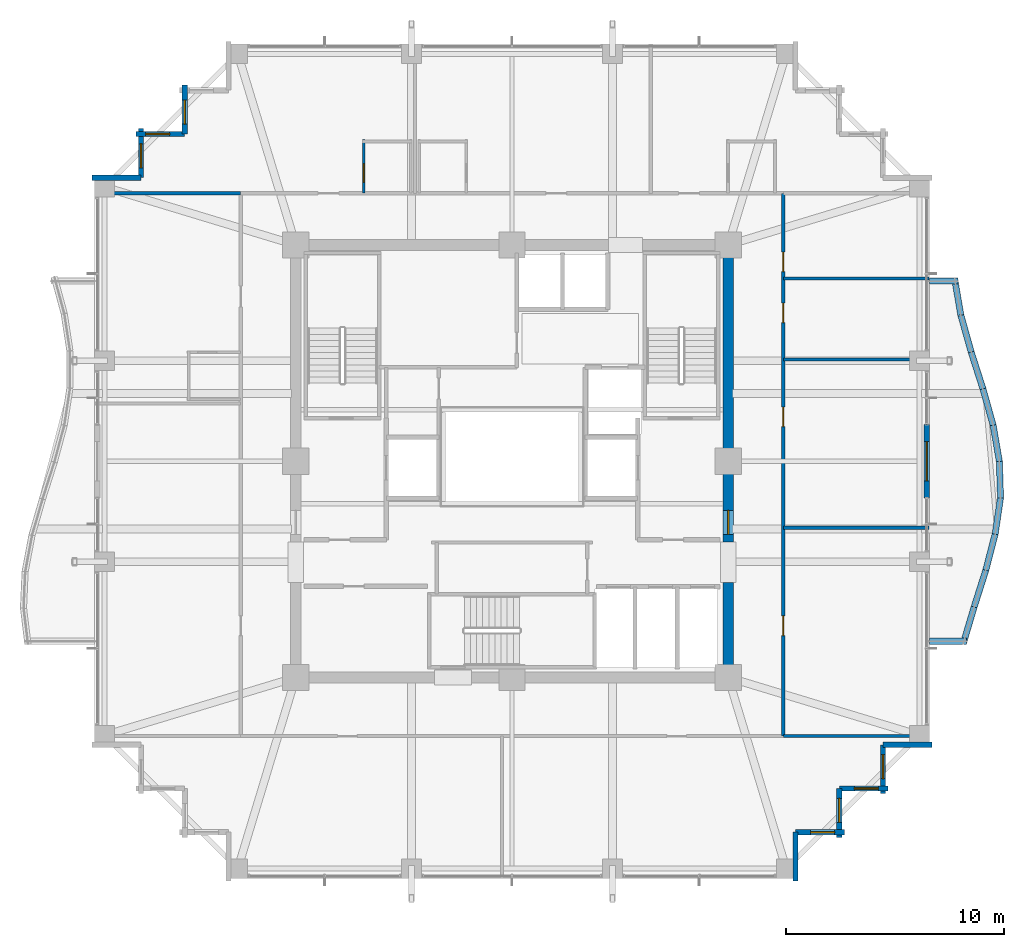
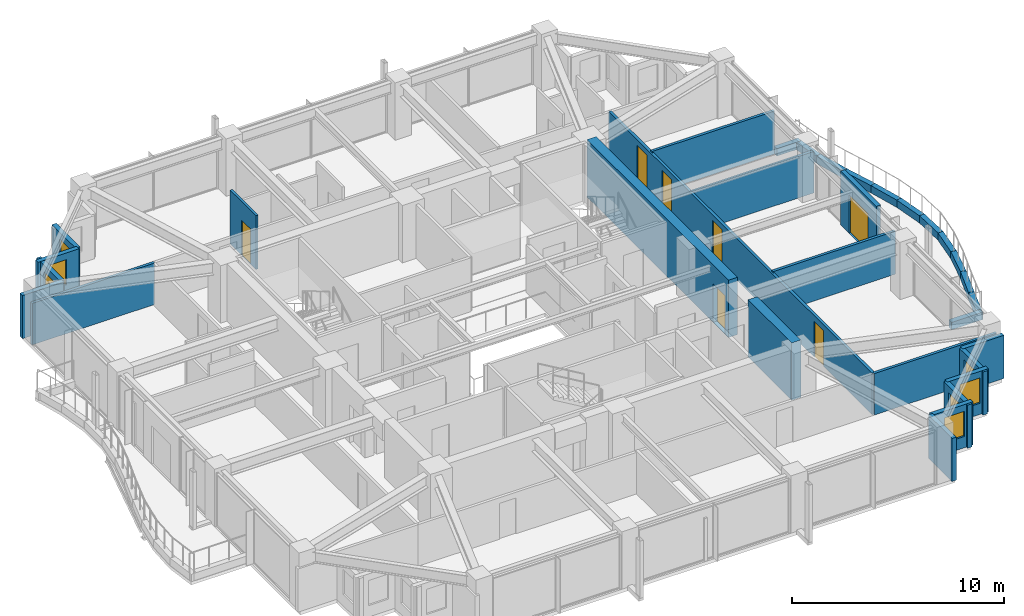
# One storey, part 32 of 35: 32 walls, 7 doors, 7 windows, 14 openings.
"""IFC4 building model written with IfcOpenShell, lengths in metres."""

import ifcopenshell
import ifcopenshell.guid

model = None  # the IFC model being written
_history = None  # IfcOwnerHistory: only IFC2X3 demands one
_inside = {}  # id of a spatial element -> (the spatial element, [elements in it])
_under = {}  # id of a project, library or spatial element -> (it, [spatial elements below it])
_declared = {}  # id of a project -> (the project, [libraries it declares])
_typed = {}  # id of a type object -> (the type object, [elements of that type])
_made_of = {}  # id of a material, layer set ... -> (it, [elements and type objects made of it])


def new_model(schema):
    """Start an empty IFC model of exactly this schema.

    Asked for "IFC4X3", IfcOpenShell would pick the latest addendum, in which some entities
    have other attributes; the version numbers below select the first issue.
    IFC2X3 requires an IfcOwnerHistory on every rooted entity: one is made here for all.
    """
    global model, _history
    if schema == "IFC4X3":
        model = ifcopenshell.file(schema_version=(4, 3, 0, 0))
    else:
        model = ifcopenshell.file(schema=schema)
    _inside.clear()
    _under.clear()
    _declared.clear()
    _typed.clear()
    _made_of.clear()
    _history = None
    if model.schema == "IFC2X3":
        org = make("IfcOrganization", Name="unknown")
        user = make(
            "IfcPersonAndOrganization",
            ThePerson=make("IfcPerson", FamilyName="unknown"),
            TheOrganization=org,
        )
        app = make(
            "IfcApplication",
            ApplicationDeveloper=org,
            Version="unknown",
            ApplicationFullName="unknown",
            ApplicationIdentifier="unknown",
        )
        _history = make(
            "IfcOwnerHistory",
            OwningUser=user,
            OwningApplication=app,
            ChangeAction="ADDED",
            CreationDate=0,
        )
    return model


def make(cls, **values):
    """One entity of the class cls with the attributes given. An attribute that is None is left unset."""
    return model.create_entity(
        cls, **{name: value for name, value in values.items() if value is not None}
    )


def rooted(cls, **values):
    """An entity with a GlobalId (a new one), such as an element, a storey or a relation."""
    return make(cls, GlobalId=ifcopenshell.guid.new(), OwnerHistory=_history, **values)


def si_unit(unit_type, name, prefix=None):
    """IfcSIUnit, for example si_unit("LENGTHUNIT", "METRE", prefix="MILLI")."""
    return make("IfcSIUnit", UnitType=unit_type, Prefix=prefix, Name=name)


def assignment(units):
    """IfcUnitAssignment: the units of a project."""
    return None if units is None else make("IfcUnitAssignment", Units=units)


def point(xyz):
    """IfcCartesianPoint."""
    return None if xyz is None else make("IfcCartesianPoint", Coordinates=xyz)


def direction(xyz):
    """IfcDirection."""
    return None if xyz is None else make("IfcDirection", DirectionRatios=xyz)


def frame(location, z_axis=None, x_axis=None):
    """IfcAxis2Placement3D, a coordinate frame: its origin and axes. An axis left out is left unset."""
    return make(
        "IfcAxis2Placement3D",
        Location=point(location),
        Axis=direction(z_axis),
        RefDirection=direction(x_axis),
    )


def frame_2d(location, x_axis=None):
    """IfcAxis2Placement2D, a coordinate frame in the plane: its origin and x axis."""
    return make(
        "IfcAxis2Placement2D", Location=point(location), RefDirection=direction(x_axis)
    )


def origin():
    """The frame at (0, 0, 0) with its axes left unset."""
    return frame((0.0, 0.0, 0.0))


def place(relative_to, where):
    """IfcLocalPlacement: puts the frame where relative to a parent placement (None: the world)."""
    return make(
        "IfcLocalPlacement", PlacementRelTo=relative_to, RelativePlacement=where
    )


def context(
    kind, dimensions, precision=None, world=None, true_north=None, identifier=None
):
    """IfcGeometricRepresentationContext, for example the 3D "Model" context."""
    return make(
        "IfcGeometricRepresentationContext",
        ContextIdentifier=identifier,
        ContextType=kind,
        CoordinateSpaceDimension=dimensions,
        Precision=precision,
        WorldCoordinateSystem=world,
        TrueNorth=true_north,
    )


def subcontext(parent, identifier, kind, view, scale=None):
    """IfcGeometricRepresentationSubContext, for example "Body" below "Model"."""
    return make(
        "IfcGeometricRepresentationSubContext",
        ContextIdentifier=identifier,
        ContextType=kind,
        ParentContext=parent,
        TargetScale=scale,
        TargetView=view,
    )


def project(units=None, contexts=None):
    """IfcProject with its units and contexts."""
    return rooted(
        "IfcProject",
        Name="project",
        RepresentationContexts=contexts,
        UnitsInContext=assignment(units),
    )


def spatial(cls, under=None, at=None, **own):
    """A site, building, storey or space (cls), placed at a placement, below another one or the project."""
    s = rooted(cls, ObjectPlacement=at, **own)
    if under is not None:
        _under.setdefault(under.id(), (under, []))[1].append(s)
    return s


def profile(cls, at=None, kind="AREA", **sizes):
    """A parametric profile (cls). Its sizes go by their IFC names, for example OverallWidth=200.0."""
    return make(cls, ProfileType=kind, Position=at, **sizes)


def rectangle(**sizes):
    """IfcRectangleProfileDef."""
    return profile("IfcRectangleProfileDef", **sizes)


def extrude(swept, where, along, depth):
    """IfcExtrudedAreaSolid: the profile swept, set in the frame where, extruded along a direction by depth."""
    return make(
        "IfcExtrudedAreaSolid",
        SweptArea=swept,
        Position=where,
        ExtrudedDirection=direction(along),
        Depth=depth,
    )


def shape(context_of_items, identifier, shape_type, items):
    """IfcShapeRepresentation: the items that make up one representation, for example the "Body"."""
    return make(
        "IfcShapeRepresentation",
        ContextOfItems=context_of_items,
        RepresentationIdentifier=identifier,
        RepresentationType=shape_type,
        Items=items,
    )


def material(Name=None, Category=None):
    """IfcMaterial."""
    return make("IfcMaterial", Name=Name, Category=Category)


def layer(
    of_material, thickness, ventilated=None, Name=None, Category=None, Priority=None
):
    """IfcMaterialLayer: one layer of a wall or slab, of a material (None: an air gap)."""
    return make(
        "IfcMaterialLayer",
        Material=of_material,
        LayerThickness=thickness,
        IsVentilated=ventilated,
        Name=Name,
        Category=Category,
        Priority=Priority,
    )


def layer_set(layers, Name=None):
    """IfcMaterialLayerSet."""
    return make("IfcMaterialLayerSet", MaterialLayers=layers, LayerSetName=Name)


def made_of(thing, what):
    """Note that an element or type object is made of a material, layer set ...; save() writes the relation."""
    if what is not None:
        _made_of.setdefault(what.id(), (what, []))[1].append(thing)
    return thing


def type_object(cls, material=None, **own):
    """A type object (cls), such as IfcWallType, which elements share."""
    return made_of(rooted(cls, **own), material)


def element(
    cls,
    number,
    at=None,
    inside=None,
    cuts=None,
    type_object=None,
    material=None,
    context=None,
    identifier="Body",
    shape_type=None,
    held_by="IfcProductDefinitionShape",
    body=None,
    shapes=None,
    **own,
):
    """One element of the class cls, such as IfcWall. Its Tag is "e" and its number.

    at: its placement. inside: the storey or other place that contains it. cuts: it is an
    opening in that element (IfcRelVoidsElement). A single representation is given by context,
    identifier, shape_type and body (its items); several are given by shapes. held_by: the class
    of the entity that holds the representations. save() writes the other relations.
    """
    e = rooted(cls, Tag="e%d" % number, ObjectPlacement=at, **own)
    if body is not None:
        shapes = [shape(context, identifier, shape_type, body)]
    if shapes is not None:
        e.Representation = make(held_by, Representations=shapes)
    if inside is not None:
        _inside.setdefault(inside.id(), (inside, []))[1].append(e)
    if cuts is not None:
        rooted(
            "IfcRelVoidsElement", RelatingBuildingElement=cuts, RelatedOpeningElement=e
        )
    if type_object is not None:
        _typed.setdefault(type_object.id(), (type_object, []))[1].append(e)
    return made_of(e, material)


def fill(opening, filler):
    """IfcRelFillsElement: the door or window that sits in an opening."""
    return rooted(
        "IfcRelFillsElement",
        RelatingOpeningElement=opening,
        RelatedBuildingElement=filler,
    )


def aggregate(whole, parts):
    """IfcRelAggregates: a whole, such as a stair, and the parts it consists of."""
    return rooted("IfcRelAggregates", RelatingObject=whole, RelatedObjects=parts)


def save(model, path):
    """Write the relations noted so far, then the file.

    IfcRelAggregates (storeys below a building ...), IfcRelContainedInSpatialStructure (elements
    in a storey), IfcRelDefinesByType, IfcRelAssociatesMaterial and IfcRelDeclares: one each for
    every whole, place, type object, material and project.
    """
    for whole, parts in _under.values():
        aggregate(whole, parts)
    for where, things in _inside.values():
        rooted(
            "IfcRelContainedInSpatialStructure",
            RelatedElements=things,
            RelatingStructure=where,
        )
    for kind, things in _typed.values():
        rooted("IfcRelDefinesByType", RelatedObjects=things, RelatingType=kind)
    for what, things in _made_of.values():
        rooted("IfcRelAssociatesMaterial", RelatedObjects=things, RelatingMaterial=what)
    for by, libraries in _declared.values():
        rooted("IfcRelDeclares", RelatingContext=by, RelatedDefinitions=libraries)
    model.write(path)


model = new_model("IFC4")

# Units and contexts
model_context = context("Model", 3, precision=1e-05, world=origin(), true_north=direction((0.0, 1.0)))
body_context = subcontext(model_context, "Body", "Model", "MODEL_VIEW")
ifc_project = project(units=[si_unit("LENGTHUNIT", "METRE"), si_unit("AREAUNIT", "SQUARE_METRE"), si_unit("VOLUMEUNIT", "CUBIC_METRE"), si_unit("PLANEANGLEUNIT", "RADIAN"), si_unit("MASSUNIT", "GRAM", prefix="KILO")], contexts=[model_context])

# Site, building, storey
site_placement = place(None, origin())
site = spatial("IfcSite", under=ifc_project, at=site_placement, CompositionType="ELEMENT")
building_placement = place(site_placement, origin())
building = spatial("IfcBuilding", under=site, at=building_placement, Name="Kolvaren Belvedere", CompositionType="ELEMENT")
storey_placement = place(building_placement, frame((0.0, 0.0, 163.5)))
storey = spatial("IfcBuildingStorey", under=building, at=storey_placement, Name="L47", CompositionType="ELEMENT", Elevation=163.5)

# Wall
ifc_material_1 = material(Name="Concrete C50/60", Category="concrete")
ifc_layer_1 = layer(ifc_material_1, 0.5)
ifc_layer_set_1 = layer_set([ifc_layer_1], Name="Concrete C50/60")
wall_type_1 = type_object("IfcWallType", Name="CW-CORE-500", PredefinedType="SHEAR", material=ifc_layer_set_1)
wall_1_placement = place(storey_placement, frame((9.89990234375, -9.64990234375, 0.0), z_axis=(0.0, 0.0, 1.0), x_axis=(0.0, 1.0, 0.0)))
element("IfcWall", 1, at=wall_1_placement, inside=storey, type_object=wall_type_1, Name="L47 East Core Shear Wall 1", PredefinedType="SHEAR", context=body_context, shape_type="SweptSolid", body=[
    extrude(rectangle(XDim=4.099853515625, YDim=0.5, at=frame_2d((2.0498046875, 0.0))), origin(), (0.0, 0.0, 1.0), 3.300048828125),
])

# Wall, opening, door
wall_2_placement = place(storey_placement, frame((9.89990234375, -3.699951171875, 0.0), z_axis=(0.0, 0.0, 1.0), x_axis=(0.0, 1.0, 0.0)))
wall_2 = element("IfcWall", 2, at=wall_2_placement, inside=storey, type_object=wall_type_1, Name="L47 East Core Shear Wall 2", PredefinedType="SHEAR", context=body_context, shape_type="SweptSolid", body=[
    extrude(rectangle(XDim=13.349853515625, YDim=0.5, at=frame_2d((6.6748046875, 0.0))), origin(), (0.0, 0.0, 1.0), 3.300048828125),
])
opening_1_placement = place(wall_2_placement, frame((0.35009765625, 0.0, 0.0)))
opening_1 = element("IfcOpeningElement", 3, at=opening_1_placement, cuts=wall_2, Name="Opening D-FD90", PredefinedType="OPENING", context=body_context, shape_type="SweptSolid", body=[
    extrude(rectangle(XDim=1.10009765625, YDim=2.199951171875, at=frame_2d((0.550048828125, 1.10009765625))), frame((0.0, 0.260009765625, 0.0), z_axis=(0.0, -1.0, 0.0), x_axis=(1.0, 0.0, 0.0)), (0.0, 0.0, 1.0), 0.52001953125),
])
ifc_material_2 = material(Name="Painted hollow stainless steel", Category="steel")
door_type_1 = type_object("IfcDoorType", Name="DR-FD90-1100", OperationType="NOTDEFINED", PredefinedType="DOOR", material=ifc_material_2)
door_1_placement = place(opening_1_placement, origin())
door_1 = element("IfcDoor", 4, at=door_1_placement, inside=storey, type_object=door_type_1, Name="L47 East Firefighting Lobby Fire Door", OperationType="SINGLE_SWING_RIGHT", OverallHeight=2.199951171875, OverallWidth=1.10009765625, PredefinedType="DOOR", context=body_context, shape_type="SweptSolid", body=[
    extrude(rectangle(XDim=1.10009765625, YDim=2.199951171875, at=frame_2d((0.550048828125, 1.10009765625))), frame((0.0, 0.02490234375, 0.0), z_axis=(0.0, -1.0, 0.0), x_axis=(1.0, 0.0, 0.0)), (0.0, 0.0, 1.0), 0.050048828125),
])
fill(opening_1, door_1)

# Wall, openings, doors
ifc_material_3 = material(Name="Gypsum fire-rated partition assembly", Category="gypsum")
ifc_layer_2 = layer(ifc_material_3, 0.14990234375)
ifc_layer_set_2 = layer_set([ifc_layer_2], Name="Gypsum fire-rated partition assembly")
wall_type_2 = type_object("IfcWallType", Name="WL-CORR-150", PredefinedType="PARTITIONING", material=ifc_layer_set_2)
wall_3_placement = place(storey_placement, frame((12.419921875, -12.580078125, 0.0), z_axis=(0.0, 0.0, 1.0), x_axis=(0.0, 1.0, 0.0)))
wall_3 = element("IfcWall", 5, at=wall_3_placement, inside=storey, type_object=wall_type_2, Name="L47 East Corridor Wall", PredefinedType="PARTITIONING", context=body_context, shape_type="SweptSolid", body=[
    extrude(rectangle(XDim=24.840087890625, YDim=0.14990234375, at=frame_2d((12.419921875, 0.0))), origin(), (0.0, 0.0, 1.0), 2.388916015625),
])
opening_2_placement = place(wall_3_placement, frame((4.594970703125, 0.0, 0.0)))
opening_2 = element("IfcOpeningElement", 6, at=opening_2_placement, cuts=wall_3, Name="Opening D-INT90", PredefinedType="OPENING", context=body_context, shape_type="SweptSolid", body=[
    extrude(rectangle(XDim=0.89990234375, YDim=2.06005859375, at=frame_2d((0.449951171875, 1.030029296875))), frame((0.0, 0.0849609375, 0.0), z_axis=(0.0, -1.0, 0.0), x_axis=(1.0, 0.0, 0.0)), (0.0, 0.0, 1.0), 0.169921875),
])
opening_3_placement = place(wall_3_placement, frame((14.159912109375, 0.0, 0.0)))
opening_3 = element("IfcOpeningElement", 7, at=opening_3_placement, cuts=wall_3, Name="Opening D-INT90", PredefinedType="OPENING", context=body_context, shape_type="SweptSolid", body=[
    extrude(rectangle(XDim=0.89990234375, YDim=2.06005859375, at=frame_2d((0.449951171875, 1.030029296875))), frame((0.0, 0.0849609375, 0.0), z_axis=(0.0, -1.0, 0.0), x_axis=(1.0, 0.0, 0.0)), (0.0, 0.0, 1.0), 0.169921875),
])
opening_4_placement = place(wall_3_placement, frame((18.91943359375, 0.0, 0.0)))
opening_4 = element("IfcOpeningElement", 8, at=opening_4_placement, cuts=wall_3, Name="Opening D-INT90", PredefinedType="OPENING", context=body_context, shape_type="SweptSolid", body=[
    extrude(rectangle(XDim=0.89990234375, YDim=2.06005859375, at=frame_2d((0.449951171875, 1.030029296875))), frame((0.0, 0.0849609375, 0.0), z_axis=(0.0, -1.0, 0.0), x_axis=(1.0, 0.0, 0.0)), (0.0, 0.0, 1.0), 0.169921875),
])
opening_5_placement = place(wall_3_placement, frame((21.25439453125, 0.0, 0.0)))
opening_5 = element("IfcOpeningElement", 9, at=opening_5_placement, cuts=wall_3, Name="Opening D-INT90", PredefinedType="OPENING", context=body_context, shape_type="SweptSolid", body=[
    extrude(rectangle(XDim=0.89990234375, YDim=2.06005859375, at=frame_2d((0.449951171875, 1.030029296875))), frame((0.0, 0.0849609375, 0.0), z_axis=(0.0, -1.0, 0.0), x_axis=(1.0, 0.0, 0.0)), (0.0, 0.0, 1.0), 0.169921875),
])
ifc_material_4 = material(Name="Stained Pacific white oak", Category="timber")
door_type_2 = type_object("IfcDoorType", Name="DR-INT-900", OperationType="NOTDEFINED", PredefinedType="DOOR", material=ifc_material_4)
door_2_placement = place(opening_2_placement, origin())
door_2 = element("IfcDoor", 10, at=door_2_placement, inside=storey, type_object=door_type_2, Name="L47 Guest Tea & Espresso Kitchen 4703 Door", OperationType="SINGLE_SWING_LEFT", OverallHeight=2.06005859375, OverallWidth=0.89990234375, PredefinedType="DOOR", context=body_context, shape_type="SweptSolid", body=[
    extrude(rectangle(XDim=0.89990234375, YDim=2.06005859375, at=frame_2d((0.449951171875, 1.030029296875))), frame((0.0, 0.02490234375, 0.0), z_axis=(0.0, -1.0, 0.0), x_axis=(1.0, 0.0, 0.0)), (0.0, 0.0, 1.0), 0.050048828125),
])
fill(opening_2, door_2)
door_3_placement = place(opening_3_placement, origin())
door_3 = element("IfcDoor", 11, at=door_3_placement, inside=storey, type_object=door_type_2, Name="L47 Private Hospitality Meeting Room 4704 Door", OperationType="SINGLE_SWING_RIGHT", OverallHeight=2.06005859375, OverallWidth=0.89990234375, PredefinedType="DOOR", context=body_context, shape_type="SweptSolid", body=[
    extrude(rectangle(XDim=0.89990234375, YDim=2.06005859375, at=frame_2d((0.449951171875, 1.030029296875))), frame((0.0, 0.02490234375, 0.0), z_axis=(0.0, -1.0, 0.0), x_axis=(1.0, 0.0, 0.0)), (0.0, 0.0, 1.0), 0.050048828125),
])
fill(opening_3, door_3)
door_4_placement = place(opening_4_placement, origin())
door_4 = element("IfcDoor", 12, at=door_4_placement, inside=storey, type_object=door_type_2, Name="L47 Botanical Reading Salon 4705 Door", OperationType="SINGLE_SWING_LEFT", OverallHeight=2.06005859375, OverallWidth=0.89990234375, PredefinedType="DOOR", context=body_context, shape_type="SweptSolid", body=[
    extrude(rectangle(XDim=0.89990234375, YDim=2.06005859375, at=frame_2d((0.449951171875, 1.030029296875))), frame((0.0, 0.02490234375, 0.0), z_axis=(0.0, -1.0, 0.0), x_axis=(1.0, 0.0, 0.0)), (0.0, 0.0, 1.0), 0.050048828125),
])
fill(opening_4, door_4)
door_5_placement = place(opening_5_placement, origin())
door_5 = element("IfcDoor", 13, at=door_5_placement, inside=storey, type_object=door_type_2, Name="L47 Lounge 4706 Door", OperationType="SINGLE_SWING_RIGHT", OverallHeight=2.06005859375, OverallWidth=0.89990234375, PredefinedType="DOOR", context=body_context, shape_type="SweptSolid", body=[
    extrude(rectangle(XDim=0.89990234375, YDim=2.06005859375, at=frame_2d((0.449951171875, 1.030029296875))), frame((0.0, 0.02490234375, 0.0), z_axis=(0.0, -1.0, 0.0), x_axis=(1.0, 0.0, 0.0)), (0.0, 0.0, 1.0), 0.050048828125),
])
fill(opening_5, door_5)

# Wall
ifc_material_5 = material(Name="Insulated pale-metal facade wall assembly", Category="aluminium")
ifc_layer_3 = layer(ifc_material_5, 0.239990234375)
ifc_layer_set_3 = layer_set([ifc_layer_3], Name="Insulated pale-metal facade wall assembly")
wall_type_3 = type_object("IfcWallType", Name="WL-EXT-240", PredefinedType="STANDARD", material=ifc_layer_set_3)
wall_4_placement = place(storey_placement, frame((12.97998046875, -16.97998046875, 0.0), z_axis=(0.0, 0.0, 1.0), x_axis=(0.0, -1.0, 0.0)))
element("IfcWall", 14, at=wall_4_placement, inside=storey, type_object=wall_type_3, Name="L47 Serrated Corner Facade Wall 2", PredefinedType="STANDARD", context=body_context, shape_type="SweptSolid", body=[
    extrude(rectangle(XDim=2.239990234375, YDim=0.239990234375, at=frame_2d((1.1201171875, 0.0))), origin(), (0.0, 0.0, 1.0), 2.48291015625),
])

# Wall, opening, window
wall_5_placement = place(storey_placement, frame((15.219970703125, -16.97998046875, 0.0), z_axis=(0.0, 0.0, 1.0), x_axis=(-1.0, 0.0, 0.0)))
wall_5 = element("IfcWall", 15, at=wall_5_placement, inside=storey, type_object=wall_type_3, Name="L47 Serrated Corner Facade Wall 3", PredefinedType="STANDARD", context=body_context, shape_type="SweptSolid", body=[
    extrude(rectangle(XDim=2.239990234375, YDim=0.239990234375, at=frame_2d((1.1201171875, 0.0))), origin(), (0.0, 0.0, 1.0), 2.48291015625),
])
opening_6_placement = place(wall_5_placement, frame((0.449951171875, 0.0, 0.64990234375)))
opening_6 = element("IfcOpeningElement", 16, at=opening_6_placement, cuts=wall_5, Name="Opening W-1100", PredefinedType="OPENING", context=body_context, shape_type="SweptSolid", body=[
    extrude(rectangle(XDim=1.10009765625, YDim=1.449951171875, at=frame_2d((0.550048828125, 0.72509765625))), frame((0.0, 0.1298828125, 0.0), z_axis=(0.0, -1.0, 0.0), x_axis=(1.0, 0.0, 0.0)), (0.0, 0.0, 1.0), 0.260009765625),
])
ifc_material_6 = material(Name="Low-iron triple insulated glass", Category="glass")
window_type = type_object("IfcWindowType", Name="WN-CORN-1100", PartitioningType="SINGLE_PANEL", PredefinedType="WINDOW", material=ifc_material_6)
window_1_placement = place(opening_6_placement, origin())
window_1 = element("IfcWindow", 17, at=window_1_placement, inside=storey, type_object=window_type, Name="L47 Serrated Corner Vision Window 3", OverallHeight=1.449951171875, OverallWidth=1.10009765625, PartitioningType="SINGLE_PANEL", PredefinedType="WINDOW", context=body_context, shape_type="SweptSolid", body=[
    extrude(rectangle(XDim=1.10009765625, YDim=1.449951171875, at=frame_2d((0.550048828125, 0.72509765625))), frame((0.0, 0.030029296875, 0.0), z_axis=(0.0, -1.0, 0.0), x_axis=(1.0, 0.0, 0.0)), (0.0, 0.0, 1.0), 0.06005859375),
])
fill(opening_6, window_1)

wall_6_placement = place(storey_placement, frame((14.97998046875, -14.97998046875, 0.0), z_axis=(0.0, 0.0, 1.0), x_axis=(0.0, -1.0, 0.0)))
wall_6 = element("IfcWall", 18, at=wall_6_placement, inside=storey, type_object=wall_type_3, Name="L47 Serrated Corner Facade Wall 4", PredefinedType="STANDARD", context=body_context, shape_type="SweptSolid", body=[
    extrude(rectangle(XDim=2.239990234375, YDim=0.239990234375, at=frame_2d((1.1201171875, 0.0))), origin(), (0.0, 0.0, 1.0), 2.48291015625),
])
opening_7_placement = place(wall_6_placement, frame((0.449951171875, 0.0, 0.64990234375)))
opening_7 = element("IfcOpeningElement", 19, at=opening_7_placement, cuts=wall_6, Name="Opening W-1100", PredefinedType="OPENING", context=body_context, shape_type="SweptSolid", body=[
    extrude(rectangle(XDim=1.10009765625, YDim=1.449951171875, at=frame_2d((0.550048828125, 0.72509765625))), frame((0.0, 0.1298828125, 0.0), z_axis=(0.0, -1.0, 0.0), x_axis=(1.0, 0.0, 0.0)), (0.0, 0.0, 1.0), 0.260009765625),
])
window_2_placement = place(opening_7_placement, origin())
window_2 = element("IfcWindow", 20, at=window_2_placement, inside=storey, type_object=window_type, Name="L47 Serrated Corner Vision Window 4", OverallHeight=1.449951171875, OverallWidth=1.10009765625, PartitioningType="SINGLE_PANEL", PredefinedType="WINDOW", context=body_context, shape_type="SweptSolid", body=[
    extrude(rectangle(XDim=1.10009765625, YDim=1.449951171875, at=frame_2d((0.550048828125, 0.72509765625))), frame((0.0, 0.030029296875, 0.0), z_axis=(0.0, -1.0, 0.0), x_axis=(1.0, 0.0, 0.0)), (0.0, 0.0, 1.0), 0.06005859375),
])
fill(opening_7, window_2)

wall_7_placement = place(storey_placement, frame((17.219970703125, -14.97998046875, 0.0), z_axis=(0.0, 0.0, 1.0), x_axis=(-1.0, 0.0, 0.0)))
wall_7 = element("IfcWall", 21, at=wall_7_placement, inside=storey, type_object=wall_type_3, Name="L47 Serrated Corner Facade Wall 5", PredefinedType="STANDARD", context=body_context, shape_type="SweptSolid", body=[
    extrude(rectangle(XDim=2.239990234375, YDim=0.239990234375, at=frame_2d((1.1201171875, 0.0))), origin(), (0.0, 0.0, 1.0), 2.48291015625),
])
opening_8_placement = place(wall_7_placement, frame((0.449951171875, 0.0, 0.64990234375)))
opening_8 = element("IfcOpeningElement", 22, at=opening_8_placement, cuts=wall_7, Name="Opening W-1100", PredefinedType="OPENING", context=body_context, shape_type="SweptSolid", body=[
    extrude(rectangle(XDim=1.10009765625, YDim=1.449951171875, at=frame_2d((0.550048828125, 0.72509765625))), frame((0.0, 0.1298828125, 0.0), z_axis=(0.0, -1.0, 0.0), x_axis=(1.0, 0.0, 0.0)), (0.0, 0.0, 1.0), 0.260009765625),
])
window_3_placement = place(opening_8_placement, origin())
window_3 = element("IfcWindow", 23, at=window_3_placement, inside=storey, type_object=window_type, Name="L47 Serrated Corner Vision Window 5", OverallHeight=1.449951171875, OverallWidth=1.10009765625, PartitioningType="SINGLE_PANEL", PredefinedType="WINDOW", context=body_context, shape_type="SweptSolid", body=[
    extrude(rectangle(XDim=1.10009765625, YDim=1.449951171875, at=frame_2d((0.550048828125, 0.72509765625))), frame((0.0, 0.030029296875, 0.0), z_axis=(0.0, -1.0, 0.0), x_axis=(1.0, 0.0, 0.0)), (0.0, 0.0, 1.0), 0.06005859375),
])
fill(opening_8, window_3)

wall_8_placement = place(storey_placement, frame((16.97998046875, -12.97998046875, 0.0), z_axis=(0.0, 0.0, 1.0), x_axis=(0.0, -1.0, 0.0)))
wall_8 = element("IfcWall", 24, at=wall_8_placement, inside=storey, type_object=wall_type_3, Name="L47 Serrated Corner Facade Wall 6", PredefinedType="STANDARD", context=body_context, shape_type="SweptSolid", body=[
    extrude(rectangle(XDim=2.239990234375, YDim=0.239990234375, at=frame_2d((1.1201171875, 0.0))), origin(), (0.0, 0.0, 1.0), 2.48291015625),
])
opening_9_placement = place(wall_8_placement, frame((0.449951171875, 0.0, 0.64990234375)))
opening_9 = element("IfcOpeningElement", 25, at=opening_9_placement, cuts=wall_8, Name="Opening W-1100", PredefinedType="OPENING", context=body_context, shape_type="SweptSolid", body=[
    extrude(rectangle(XDim=1.10009765625, YDim=1.449951171875, at=frame_2d((0.550048828125, 0.72509765625))), frame((0.0, 0.1298828125, 0.0), z_axis=(0.0, -1.0, 0.0), x_axis=(1.0, 0.0, 0.0)), (0.0, 0.0, 1.0), 0.260009765625),
])
window_4_placement = place(opening_9_placement, origin())
window_4 = element("IfcWindow", 26, at=window_4_placement, inside=storey, type_object=window_type, Name="L47 Serrated Corner Vision Window 6", OverallHeight=1.449951171875, OverallWidth=1.10009765625, PartitioningType="SINGLE_PANEL", PredefinedType="WINDOW", context=body_context, shape_type="SweptSolid", body=[
    extrude(rectangle(XDim=1.10009765625, YDim=1.449951171875, at=frame_2d((0.550048828125, 0.72509765625))), frame((0.0, 0.030029296875, 0.0), z_axis=(0.0, -1.0, 0.0), x_axis=(1.0, 0.0, 0.0)), (0.0, 0.0, 1.0), 0.06005859375),
])
fill(opening_9, window_4)

# Wall
wall_9_placement = place(storey_placement, frame((19.219970703125, -12.97998046875, 0.0), z_axis=(0.0, 0.0, 1.0), x_axis=(-1.0, 0.0, 0.0)))
element("IfcWall", 27, at=wall_9_placement, inside=storey, type_object=wall_type_3, Name="L47 Serrated Corner Facade Wall 7", PredefinedType="STANDARD", context=body_context, shape_type="SweptSolid", body=[
    extrude(rectangle(XDim=2.239990234375, YDim=0.239990234375, at=frame_2d((1.1201171875, 0.0))), origin(), (0.0, 0.0, 1.0), 2.48291015625),
])

# Wall, opening, door
wall_10_placement = place(storey_placement, frame((18.97998046875, 1.679931640625, 0.0), z_axis=(0.0, 0.0, 1.0), x_axis=(0.0, -1.0, 0.0)))
wall_10 = element("IfcWall", 28, at=wall_10_placement, inside=storey, type_object=wall_type_3, Name="L47 East Terrace Portal Wall", PredefinedType="STANDARD", context=body_context, shape_type="SweptSolid", body=[
    extrude(rectangle(XDim=3.35986328125, YDim=0.239990234375, at=frame_2d((1.679931640625, 0.0))), origin(), (0.0, 0.0, 1.0), 3.10009765625),
])
opening_10_placement = place(wall_10_placement, frame((0.780029296875, 0.0, 0.0)))
opening_10 = element("IfcOpeningElement", 29, at=opening_10_placement, cuts=wall_10, Name="Opening DB-1800", PredefinedType="OPENING", context=body_context, shape_type="SweptSolid", body=[
    extrude(rectangle(XDim=1.800048828125, YDim=2.199951171875, at=frame_2d((0.89990234375, 1.10009765625))), frame((0.0, 0.1298828125, 0.0), z_axis=(0.0, -1.0, 0.0), x_axis=(1.0, 0.0, 0.0)), (0.0, 0.0, 1.0), 0.260009765625),
])
ifc_material_7 = material(Name="Thermally broken pale-metal aluminium & low-iron glass", Category="aluminium")
door_type_3 = type_object("IfcDoorType", Name="DR-BAL-1800", OperationType="DOUBLE_DOOR_SLIDING", PredefinedType="DOOR", material=ifc_material_7)
door_6_placement = place(opening_10_placement, origin())
door_6 = element("IfcDoor", 30, at=door_6_placement, inside=storey, type_object=door_type_3, Name="L47 East Planted Terrace Sliding Door", OperationType="DOUBLE_DOOR_SLIDING", OverallHeight=2.199951171875, OverallWidth=1.800048828125, PredefinedType="DOOR", context=body_context, shape_type="SweptSolid", body=[
    extrude(rectangle(XDim=1.800048828125, YDim=2.199951171875, at=frame_2d((0.89990234375, 1.10009765625))), frame((0.0, 0.02490234375, 0.0), z_axis=(0.0, -1.0, 0.0), x_axis=(1.0, 0.0, 0.0)), (0.0, 0.0, 1.0), 0.050048828125),
])
fill(opening_10, door_6)

# Wall, opening, window
wall_11_placement = place(storey_placement, frame((-14.97998046875, 14.97998046875, 0.0), z_axis=(0.0, 0.0, 1.0), x_axis=(0.0, 1.0, 0.0)))
wall_11 = element("IfcWall", 31, at=wall_11_placement, inside=storey, type_object=wall_type_3, Name="L47 Serrated Corner Facade Wall 18", PredefinedType="STANDARD", context=body_context, shape_type="SweptSolid", body=[
    extrude(rectangle(XDim=2.239990234375, YDim=0.239990234375, at=frame_2d((1.1201171875, 0.0))), origin(), (0.0, 0.0, 1.0), 2.48291015625),
])
opening_11_placement = place(wall_11_placement, frame((0.449951171875, 0.0, 0.64990234375)))
opening_11 = element("IfcOpeningElement", 32, at=opening_11_placement, cuts=wall_11, Name="Opening W-1100", PredefinedType="OPENING", context=body_context, shape_type="SweptSolid", body=[
    extrude(rectangle(XDim=1.10009765625, YDim=1.449951171875, at=frame_2d((0.550048828125, 0.72509765625))), frame((0.0, 0.1298828125, 0.0), z_axis=(0.0, -1.0, 0.0), x_axis=(1.0, 0.0, 0.0)), (0.0, 0.0, 1.0), 0.260009765625),
])
window_5_placement = place(opening_11_placement, origin())
window_5 = element("IfcWindow", 33, at=window_5_placement, inside=storey, type_object=window_type, Name="L47 Serrated Corner Vision Window 18", OverallHeight=1.449951171875, OverallWidth=1.10009765625, PartitioningType="SINGLE_PANEL", PredefinedType="WINDOW", context=body_context, shape_type="SweptSolid", body=[
    extrude(rectangle(XDim=1.10009765625, YDim=1.449951171875, at=frame_2d((0.550048828125, 0.72509765625))), frame((0.0, 0.030029296875, 0.0), z_axis=(0.0, -1.0, 0.0), x_axis=(1.0, 0.0, 0.0)), (0.0, 0.0, 1.0), 0.06005859375),
])
fill(opening_11, window_5)

wall_12_placement = place(storey_placement, frame((-17.219970703125, 14.97998046875, 0.0), z_axis=(0.0, 0.0, 1.0), x_axis=(1.0, 0.0, 0.0)))
wall_12 = element("IfcWall", 34, at=wall_12_placement, inside=storey, type_object=wall_type_3, Name="L47 Serrated Corner Facade Wall 19", PredefinedType="STANDARD", context=body_context, shape_type="SweptSolid", body=[
    extrude(rectangle(XDim=2.239990234375, YDim=0.239990234375, at=frame_2d((1.1201171875, 0.0))), origin(), (0.0, 0.0, 1.0), 2.48291015625),
])
opening_12_placement = place(wall_12_placement, frame((0.449951171875, 0.0, 0.64990234375)))
opening_12 = element("IfcOpeningElement", 35, at=opening_12_placement, cuts=wall_12, Name="Opening W-1100", PredefinedType="OPENING", context=body_context, shape_type="SweptSolid", body=[
    extrude(rectangle(XDim=1.10009765625, YDim=1.449951171875, at=frame_2d((0.550048828125, 0.72509765625))), frame((0.0, 0.1298828125, 0.0), z_axis=(0.0, -1.0, 0.0), x_axis=(1.0, 0.0, 0.0)), (0.0, 0.0, 1.0), 0.260009765625),
])
window_6_placement = place(opening_12_placement, origin())
window_6 = element("IfcWindow", 36, at=window_6_placement, inside=storey, type_object=window_type, Name="L47 Serrated Corner Vision Window 19", OverallHeight=1.449951171875, OverallWidth=1.10009765625, PartitioningType="SINGLE_PANEL", PredefinedType="WINDOW", context=body_context, shape_type="SweptSolid", body=[
    extrude(rectangle(XDim=1.10009765625, YDim=1.449951171875, at=frame_2d((0.550048828125, 0.72509765625))), frame((0.0, 0.030029296875, 0.0), z_axis=(0.0, -1.0, 0.0), x_axis=(1.0, 0.0, 0.0)), (0.0, 0.0, 1.0), 0.06005859375),
])
fill(opening_12, window_6)

wall_13_placement = place(storey_placement, frame((-16.97998046875, 12.97998046875, 0.0), z_axis=(0.0, 0.0, 1.0), x_axis=(0.0, 1.0, 0.0)))
wall_13 = element("IfcWall", 37, at=wall_13_placement, inside=storey, type_object=wall_type_3, Name="L47 Serrated Corner Facade Wall 20", PredefinedType="STANDARD", context=body_context, shape_type="SweptSolid", body=[
    extrude(rectangle(XDim=2.239990234375, YDim=0.239990234375, at=frame_2d((1.1201171875, 0.0))), origin(), (0.0, 0.0, 1.0), 2.48291015625),
])
opening_13_placement = place(wall_13_placement, frame((0.449951171875, 0.0, 0.64990234375)))
opening_13 = element("IfcOpeningElement", 38, at=opening_13_placement, cuts=wall_13, Name="Opening W-1100", PredefinedType="OPENING", context=body_context, shape_type="SweptSolid", body=[
    extrude(rectangle(XDim=1.10009765625, YDim=1.449951171875, at=frame_2d((0.550048828125, 0.72509765625))), frame((0.0, 0.1298828125, 0.0), z_axis=(0.0, -1.0, 0.0), x_axis=(1.0, 0.0, 0.0)), (0.0, 0.0, 1.0), 0.260009765625),
])
window_7_placement = place(opening_13_placement, origin())
window_7 = element("IfcWindow", 39, at=window_7_placement, inside=storey, type_object=window_type, Name="L47 Serrated Corner Vision Window 20", OverallHeight=1.449951171875, OverallWidth=1.10009765625, PartitioningType="SINGLE_PANEL", PredefinedType="WINDOW", context=body_context, shape_type="SweptSolid", body=[
    extrude(rectangle(XDim=1.10009765625, YDim=1.449951171875, at=frame_2d((0.550048828125, 0.72509765625))), frame((0.0, 0.030029296875, 0.0), z_axis=(0.0, -1.0, 0.0), x_axis=(1.0, 0.0, 0.0)), (0.0, 0.0, 1.0), 0.06005859375),
])
fill(opening_13, window_7)

# Walls
wall_14_placement = place(storey_placement, frame((-19.219970703125, 12.97998046875, 0.0), z_axis=(0.0, 0.0, 1.0), x_axis=(1.0, 0.0, 0.0)))
element("IfcWall", 40, at=wall_14_placement, inside=storey, type_object=wall_type_3, Name="L47 Serrated Corner Facade Wall 21", PredefinedType="STANDARD", context=body_context, shape_type="SweptSolid", body=[
    extrude(rectangle(XDim=2.239990234375, YDim=0.239990234375, at=frame_2d((1.1201171875, 0.0))), origin(), (0.0, 0.0, 1.0), 2.48291015625),
])
ifc_material_8 = material(Name="Gypsum acoustic partition assembly", Category="gypsum")
ifc_layer_4 = layer(ifc_material_8, 0.14990234375)
ifc_layer_set_4 = layer_set([ifc_layer_4], Name="Gypsum acoustic partition assembly")
wall_type_4 = type_object("IfcWallType", Name="WL-PART-150", PredefinedType="PARTITIONING", material=ifc_layer_set_4)
for number, where, z_axis, x_axis, name in (
    (41, (12.419921875, -12.580078125, 0.0), (0.0, 0.0, 1.0), (1.0, 0.0, 0.0), "L47 Wing Divider PW-L47-QSE"),
    (42, (-19.080078125, 12.260009765625, 0.0), (0.0, 0.0, 1.0), (1.0, 0.0, 0.0), "L47 Wing Divider PW-L47-QNW"),
):
    element("IfcWall", number, at=place(storey_placement, frame(where, z_axis=z_axis, x_axis=x_axis)), inside=storey, type_object=wall_type_4, Name=name, PredefinedType="PARTITIONING", context=body_context, shape_type="SweptSolid", body=[
        extrude(rectangle(XDim=6.66015625, YDim=0.14990234375, at=frame_2d((3.330078125, 0.0))), origin(), (0.0, 0.0, 1.0), 2.388916015625),
    ])
wall_15_placement = place(storey_placement, frame((12.419921875, -3.0400390625, 0.0), z_axis=(0.0, 0.0, 1.0), x_axis=(1.0, 0.0, 0.0)))
element("IfcWall", 43, at=wall_15_placement, inside=storey, type_object=wall_type_4, Name="L47 East Suite Demising Wall 1", PredefinedType="PARTITIONING", context=body_context, shape_type="SweptSolid", body=[
    extrude(rectangle(XDim=6.66015625, YDim=0.14990234375, at=frame_2d((3.330078125, 0.0))), origin(), (0.0, 0.0, 1.0), 2.472900390625),
])
wall_16_placement = place(storey_placement, frame((12.419921875, 4.659912109375, 0.0), z_axis=(0.0, 0.0, 1.0), x_axis=(1.0, 0.0, 0.0)))
element("IfcWall", 44, at=wall_16_placement, inside=storey, type_object=wall_type_4, Name="L47 East Suite Demising Wall 2", PredefinedType="PARTITIONING", context=body_context, shape_type="SweptSolid", body=[
    extrude(rectangle(XDim=6.66015625, YDim=0.14990234375, at=frame_2d((3.330078125, 0.0))), origin(), (0.0, 0.0, 1.0), 2.388916015625),
])
wall_17_placement = place(storey_placement, frame((12.419921875, 8.360107421875, 0.0), z_axis=(0.0, 0.0, 1.0), x_axis=(1.0, 0.0, 0.0)))
element("IfcWall", 45, at=wall_17_placement, inside=storey, type_object=wall_type_4, Name="L47 East Suite Demising Wall 3", PredefinedType="PARTITIONING", context=body_context, shape_type="SweptSolid", body=[
    extrude(rectangle(XDim=6.66015625, YDim=0.14990234375, at=frame_2d((3.330078125, 0.0))), origin(), (0.0, 0.0, 1.0), 2.472900390625),
])
ifc_material_9 = material(Name="Precast concrete C40/50", Category="concrete")
ifc_layer_5 = layer(ifc_material_9, 0.300048828125)
ifc_layer_set_5 = layer_set([ifc_layer_5], Name="Precast concrete C40/50")
wall_type_5 = type_object("IfcWallType", Name="WL-PLANTER-300", PredefinedType="PARAPET", material=ifc_layer_set_5)
wall_18_placement = place(storey_placement, frame((20.65185546875, -8.3544921875, -0.02001953125), z_axis=(0.0, 0.0, 1.0), x_axis=(0.284842289601, 0.958574394638, 0.0)))
element("IfcWall", 46, at=wall_18_placement, inside=storey, type_object=wall_type_5, Name="L47 Precast Structural Planter Wall BAL-E-1", PredefinedType="PARAPET", context=body_context, shape_type="SweptSolid", body=[
    extrude(rectangle(XDim=1.752685546875, YDim=0.280029296875, at=frame_2d((0.87646484375, 0.0))), origin(), (0.0, 0.0, 1.0), 0.419921875),
])
wall_19_placement = place(storey_placement, frame((21.152099609375, -6.671630859375, -0.02001953125), z_axis=(0.0, 0.0, 1.0), x_axis=(0.302397356111, 0.953181954832, 0.0)))
element("IfcWall", 47, at=wall_19_placement, inside=storey, type_object=wall_type_5, Name="L47 Precast Structural Planter Wall BAL-E-2", PredefinedType="PARAPET", context=body_context, shape_type="SweptSolid", body=[
    extrude(rectangle(XDim=1.762451171875, YDim=0.280029296875, at=frame_2d((0.88134765625, 0.0))), origin(), (0.0, 0.0, 1.0), 0.419921875),
])
wall_20_placement = place(storey_placement, frame((21.6826171875, -5.0, -0.02001953125), z_axis=(0.0, 0.0, 1.0), x_axis=(0.250405556038, 0.968141031826, 0.0)))
element("IfcWall", 48, at=wall_20_placement, inside=storey, type_object=wall_type_5, Name="L47 Precast Structural Planter Wall BAL-E-3", PredefinedType="PARAPET", context=body_context, shape_type="SweptSolid", body=[
    extrude(rectangle(XDim=1.7353515625, YDim=0.280029296875, at=frame_2d((0.86767578125, 0.0))), origin(), (0.0, 0.0, 1.0), 0.419921875),
])
wall_21_placement = place(storey_placement, frame((22.114013671875, -3.336669921875, -0.02001953125), z_axis=(0.0, 0.0, 1.0), x_axis=(0.145928579368, 0.989295127716, 0.0)))
element("IfcWall", 49, at=wall_21_placement, inside=storey, type_object=wall_type_5, Name="L47 Precast Structural Planter Wall BAL-E-4", PredefinedType="PARAPET", context=body_context, shape_type="SweptSolid", body=[
    extrude(rectangle(XDim=1.697998046875, YDim=0.280029296875, at=frame_2d((0.84912109375, 0.0))), origin(), (0.0, 0.0, 1.0), 0.419921875),
])
wall_22_placement = place(storey_placement, frame((22.360107421875, -1.68505859375, -0.02001953125), z_axis=(0.0, 0.0, 1.0), x_axis=(-0.031515868295, 0.999503251643, 0.0)))
element("IfcWall", 50, at=wall_22_placement, inside=storey, type_object=wall_type_5, Name="L47 Precast Structural Planter Wall BAL-E-5", PredefinedType="PARAPET", context=body_context, shape_type="SweptSolid", body=[
    extrude(rectangle(XDim=1.680908203125, YDim=0.280029296875, at=frame_2d((0.84033203125, 0.0))), origin(), (0.0, 0.0, 1.0), 0.419921875),
])
wall_23_placement = place(storey_placement, frame((22.309326171875, -0.027099609375, -0.02001953125), z_axis=(0.0, 0.0, 1.0), x_axis=(-0.168856484225, 0.985640648378, 0.0)))
element("IfcWall", 51, at=wall_23_placement, inside=storey, type_object=wall_type_5, Name="L47 Precast Structural Planter Wall BAL-E-6", PredefinedType="PARAPET", context=body_context, shape_type="SweptSolid", body=[
    extrude(rectangle(XDim=1.70458984375, YDim=0.280029296875, at=frame_2d((0.852294921875, 0.0))), origin(), (0.0, 0.0, 1.0), 0.419921875),
])
wall_24_placement = place(storey_placement, frame((22.025146484375, 1.63671875, -0.02001953125), z_axis=(0.0, 0.0, 1.0), x_axis=(-0.269764860108, 0.962926227834, 0.0)))
element("IfcWall", 52, at=wall_24_placement, inside=storey, type_object=wall_type_5, Name="L47 Precast Structural Planter Wall BAL-E-7", PredefinedType="PARAPET", context=body_context, shape_type="SweptSolid", body=[
    extrude(rectangle(XDim=1.744873046875, YDim=0.280029296875, at=frame_2d((0.87255859375, 0.0))), origin(), (0.0, 0.0, 1.0), 0.419921875),
])
wall_25_placement = place(storey_placement, frame((21.55615234375, 3.311279296875, -0.02001953125), z_axis=(0.0, 0.0, 1.0), x_axis=(-0.304534629099, 0.952501264923, 0.0)))
element("IfcWall", 53, at=wall_25_placement, inside=storey, type_object=wall_type_5, Name="L47 Precast Structural Planter Wall BAL-E-8", PredefinedType="PARAPET", context=body_context, shape_type="SweptSolid", body=[
    extrude(rectangle(XDim=1.763671875, YDim=0.280029296875, at=frame_2d((0.8818359375, 0.0))), origin(), (0.0, 0.0, 1.0), 0.419921875),
])
wall_26_placement = place(storey_placement, frame((21.017333984375, 4.996826171875, -0.02001953125), z_axis=(0.0, 0.0, 1.0), x_axis=(-0.269801210823, 0.962916043401, 0.0)))
element("IfcWall", 54, at=wall_26_placement, inside=storey, type_object=wall_type_5, Name="L47 Precast Structural Planter Wall BAL-E-9", PredefinedType="PARAPET", context=body_context, shape_type="SweptSolid", body=[
    extrude(rectangle(XDim=1.74462890625, YDim=0.280029296875, at=frame_2d((0.872314453125, 0.0))), origin(), (0.0, 0.0, 1.0), 0.419921875),
])
wall_27_placement = place(storey_placement, frame((20.54296875, 6.693115234375, -0.02001953125), z_axis=(0.0, 0.0, 1.0), x_axis=(-0.16888032392, 0.985636563949, 0.0)))
element("IfcWall", 55, at=wall_27_placement, inside=storey, type_object=wall_type_5, Name="L47 Precast Structural Planter Wall BAL-E-10", PredefinedType="PARAPET", context=body_context, shape_type="SweptSolid", body=[
    extrude(rectangle(XDim=1.704345703125, YDim=0.280029296875, at=frame_2d((0.85205078125, 0.0))), origin(), (0.0, 0.0, 1.0), 0.419921875),
])
wall_28_placement = place(storey_placement, frame((20.412841796875, 8.239990234375, -0.02001953125), z_axis=(0.0, 0.0, 1.0), x_axis=(-1.0, 0.0, 0.0)))
element("IfcWall", 56, at=wall_28_placement, inside=storey, type_object=wall_type_5, Name="L47 Precast Structural Planter Wall BAL-E-11", PredefinedType="PARAPET", context=body_context, shape_type="SweptSolid", body=[
    extrude(rectangle(XDim=1.312744140625, YDim=0.280029296875, at=frame_2d((0.65625, 0.0))), origin(), (0.0, 0.0, 1.0), 0.419921875),
])
wall_29_placement = place(storey_placement, frame((19.10009765625, -8.239990234375, -0.02001953125), z_axis=(0.0, 0.0, 1.0), x_axis=(1.0, 0.0, 0.0)))
element("IfcWall", 57, at=wall_29_placement, inside=storey, type_object=wall_type_5, Name="L47 Precast Structural Planter Wall BAL-E-22", PredefinedType="PARAPET", context=body_context, shape_type="SweptSolid", body=[
    extrude(rectangle(XDim=1.705078125, YDim=0.280029296875, at=frame_2d((0.8525390625, 0.0))), origin(), (0.0, 0.0, 1.0), 0.419921875),
])

# Wall, opening, door
ifc_material_10 = material(Name="Moisture-resistant gypsum partition", Category="gypsum")
ifc_layer_6 = layer(ifc_material_10, 0.125)
ifc_layer_set_6 = layer_set([ifc_layer_6], Name="Moisture-resistant gypsum partition")
wall_type_6 = type_object("IfcWallType", Name="WL-WET-125", PredefinedType="PARTITIONING", material=ifc_layer_set_6)
wall_30_placement = place(storey_placement, frame((-6.7890625, 12.27490234375, 0.0), z_axis=(0.0, 0.0, 1.0), x_axis=(0.0, 1.0, 0.0)))
wall_30 = element("IfcWall", 58, at=wall_30_placement, inside=storey, type_object=wall_type_6, Name="L47 Bathroom Partition PW-L47-BTH-9-E", PredefinedType="PARTITIONING", context=body_context, shape_type="SweptSolid", body=[
    extrude(rectangle(XDim=2.440185546875, YDim=0.125, at=frame_2d((1.22021484375, 0.0))), origin(), (0.0, 0.0, 1.0), 3.10009765625),
])
opening_14_placement = place(wall_30_placement, frame((0.5, 0.0, 0.0)))
opening_14 = element("IfcOpeningElement", 59, at=opening_14_placement, cuts=wall_30, Name="Opening D-BTH85", PredefinedType="OPENING", context=body_context, shape_type="SweptSolid", body=[
    extrude(rectangle(XDim=0.85009765625, YDim=2.030029296875, at=frame_2d((0.425048828125, 1.01513671875))), frame((0.0, 0.072509765625, 0.0), z_axis=(0.0, -1.0, 0.0), x_axis=(1.0, 0.0, 0.0)), (0.0, 0.0, 1.0), 0.14501953125),
])
ifc_material_11 = material(Name="Moisture-sealed Pacific white oak", Category="timber")
door_type_4 = type_object("IfcDoorType", Name="DR-BATH-850", OperationType="NOTDEFINED", PredefinedType="DOOR", material=ifc_material_11)
door_7_placement = place(opening_14_placement, origin())
door_7 = element("IfcDoor", 60, at=door_7_placement, inside=storey, type_object=door_type_4, Name="L47 En-Suite Bathroom 4709 Door", OperationType="SINGLE_SWING_RIGHT", OverallHeight=2.030029296875, OverallWidth=0.85009765625, PredefinedType="DOOR", context=body_context, shape_type="SweptSolid", body=[
    extrude(rectangle(XDim=0.85009765625, YDim=2.030029296875, at=frame_2d((0.425048828125, 1.01513671875))), frame((0.0, 0.02490234375, 0.0), z_axis=(0.0, -1.0, 0.0), x_axis=(1.0, 0.0, 0.0)), (0.0, 0.0, 1.0), 0.050048828125),
])
fill(opening_14, door_7)

save(model, "model.ifc")
